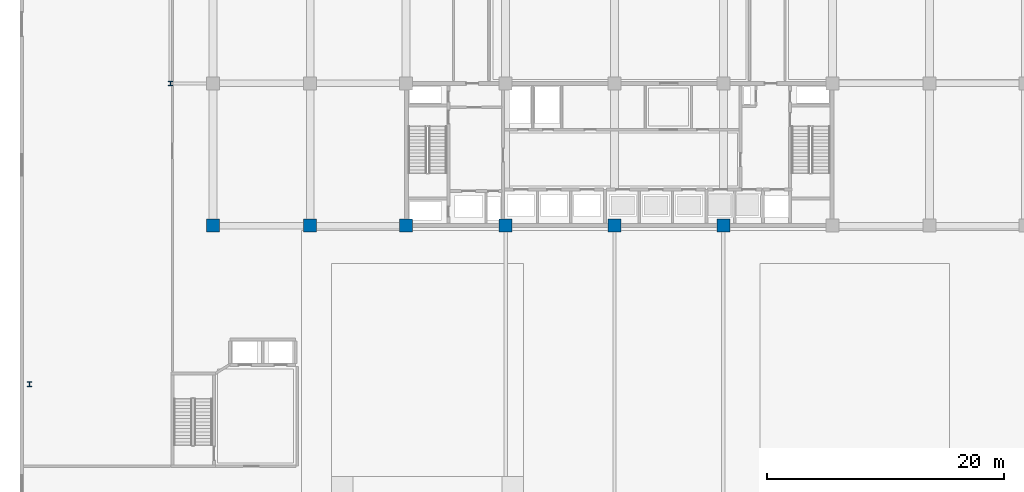
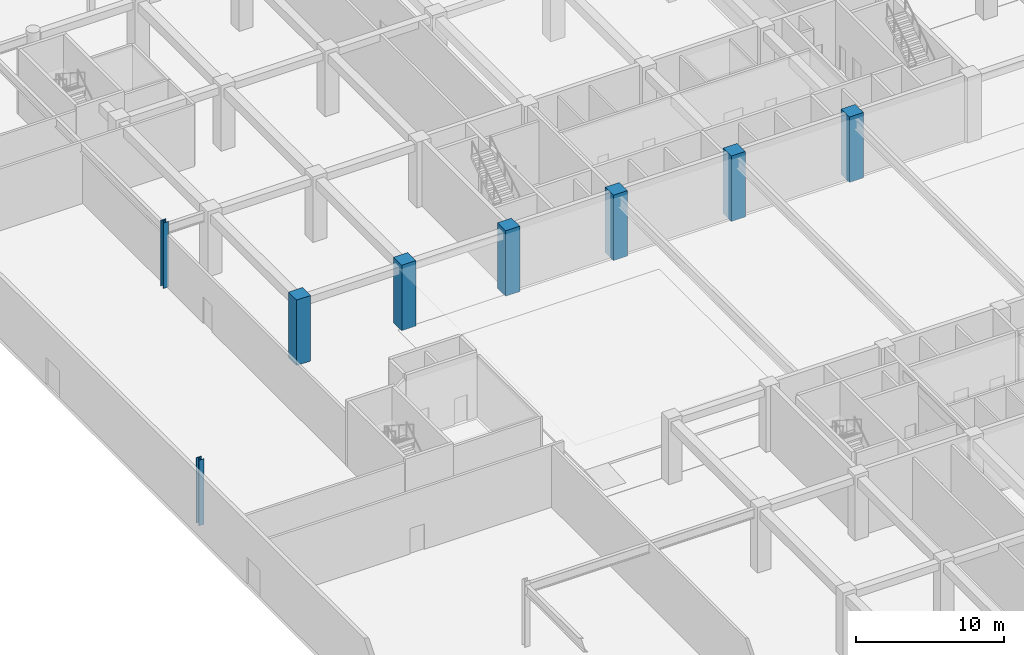
# One storey, part 6 of 46: 8 columns.
"""IFC4 building model written with IfcOpenShell, lengths in metres."""

from ifc_helpers import new_model, si_unit, direction, frame, origin, origin_2d, place, context, subcontext, project, spatial, rectangle, i_section, extrude, material, material_profile, profile_set, type_object, element, save


model = new_model("IFC4")

# Units and contexts
model_context = context("Model", 3, precision=1e-05, world=origin(), true_north=direction((0.0, 1.0)))
body_context = subcontext(model_context, "Body", "Model", "MODEL_VIEW")
ifc_project = project(units=[si_unit("LENGTHUNIT", "METRE"), si_unit("AREAUNIT", "SQUARE_METRE"), si_unit("VOLUMEUNIT", "CUBIC_METRE"), si_unit("PLANEANGLEUNIT", "RADIAN"), si_unit("MASSUNIT", "GRAM", prefix="KILO")], contexts=[model_context])

# Site, building, storey
site_placement = place(None, origin())
site = spatial("IfcSite", under=ifc_project, at=site_placement, CompositionType="ELEMENT")
building_placement = place(site_placement, origin())
building = spatial("IfcBuilding", under=site, at=building_placement, Name="Korimba Cascade Residences", CompositionType="ELEMENT")
storey_placement = place(building_placement, origin())
storey = spatial("IfcBuildingStorey", under=building, at=storey_placement, Name="L00", CompositionType="ELEMENT", Elevation=0.0)

# Columns
ifc_material_1 = material(Name="Concrete C80/95", Category="concrete")
ifc_material_profile_1 = material_profile(ifc_material_1, rectangle(XDim=1.10009765625, YDim=1.10009765625, at=origin_2d()), Name="Concrete C80/95")
ifc_profile_set_1 = profile_set([ifc_material_profile_1], Name="Concrete C80/95")
column_type_1 = type_object("IfcColumnType", Name="COL-RC-1100", PredefinedType="COLUMN", material=ifc_profile_set_1)
for number, where, z_axis, x_axis, name in (
    (1, (59.800048828125, 55.199951171875, 0.0), (0.0, 0.0, 1.0), (1.0, 0.0, 0.0), "L00 Tower 1 Column 1.1"),
    (2, (68.0, 55.199951171875, 0.0), (0.0, 0.0, 1.0), (1.0, 0.0, 0.0), "L00 Tower 1 Column 2.1"),
    (3, (76.10009765625, 55.199951171875, 0.0), (0.0, 0.0, 1.0), (1.0, 0.0, 0.0), "L00 Tower 1 Column 3.1"),
    (4, (84.5, 55.199951171875, 0.0), (0.0, 0.0, 1.0), (1.0, 0.0, 0.0), "L00 Tower 1 Column 4.1"),
    (5, (93.699951171875, 55.199951171875, 0.0), (0.0, 0.0, 1.0), (1.0, 0.0, 0.0), "L00 Tower 1 Column 5.1"),
    (6, (102.89990234375, 55.199951171875, 0.0), (0.0, 0.0, 1.0), (1.0, 0.0, 0.0), "L00 Tower 1 Column 6.1"),
):
    element("IfcColumn", number, at=place(storey_placement, frame(where, z_axis=z_axis, x_axis=x_axis)), inside=storey, type_object=column_type_1, Name=name, PredefinedType="COLUMN", context=body_context, shape_type="SweptSolid", body=[
        extrude(rectangle(XDim=1.10009765625, YDim=1.10009765625, at=origin_2d()), origin(), (0.0, 0.0, 1.0), 5.39990234375),
    ])
ifc_material_2 = material(Name="Steel S355", Category="steel")
ifc_material_profile_2 = material_profile(ifc_material_2, i_section(OverallWidth=0.39892578125, OverallDepth=0.3935546875, WebThickness=0.022705078125, FlangeThickness=0.03662109375, FilletRadius=0.01513671875, at=origin_2d()), Name="Steel S355")
ifc_profile_set_2 = profile_set([ifc_material_profile_2], Name="Steel S355")
column_type_2 = type_object("IfcColumnType", Name="COL-STL-UC287", PredefinedType="COLUMN", material=ifc_profile_set_2)
for number, where, z_axis, x_axis, name in (
    (7, (56.199951171875, 67.199951171875, 0.0), (0.0, 0.0, 1.0), (1.0, 0.0, 0.0), "L00 Podium Column PCW3"),
    (8, (44.300048828125, 41.800048828125, 0.0), (0.0, 0.0, 1.0), (1.0, 0.0, 0.0), "L00 Podium Column PLW3"),
):
    element("IfcColumn", number, at=place(storey_placement, frame(where, z_axis=z_axis, x_axis=x_axis)), inside=storey, type_object=column_type_2, Name=name, PredefinedType="COLUMN", context=body_context, shape_type="SweptSolid", body=[
        extrude(i_section(OverallWidth=0.39892578125, OverallDepth=0.3935546875, WebThickness=0.022705078125, FlangeThickness=0.03662109375, FilletRadius=0.01513671875, at=origin_2d()), origin(), (0.0, 0.0, 1.0), 5.39990234375),
    ])

save(model, "model.ifc")
